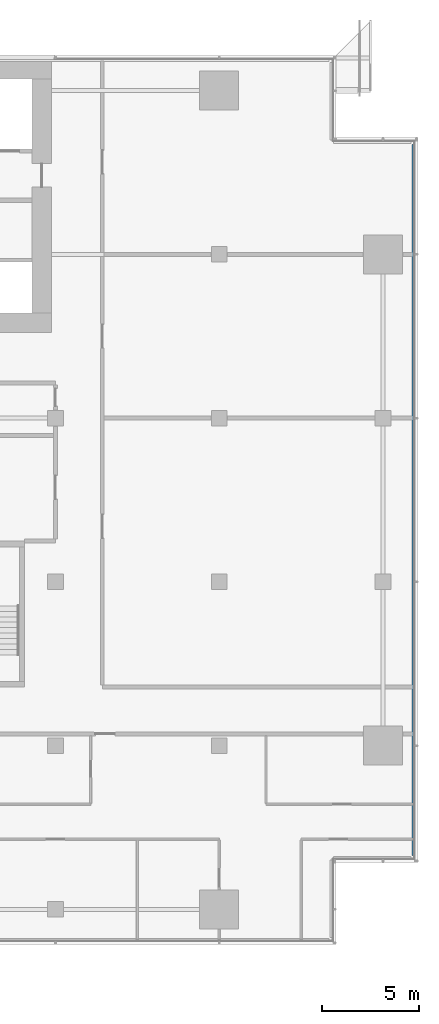
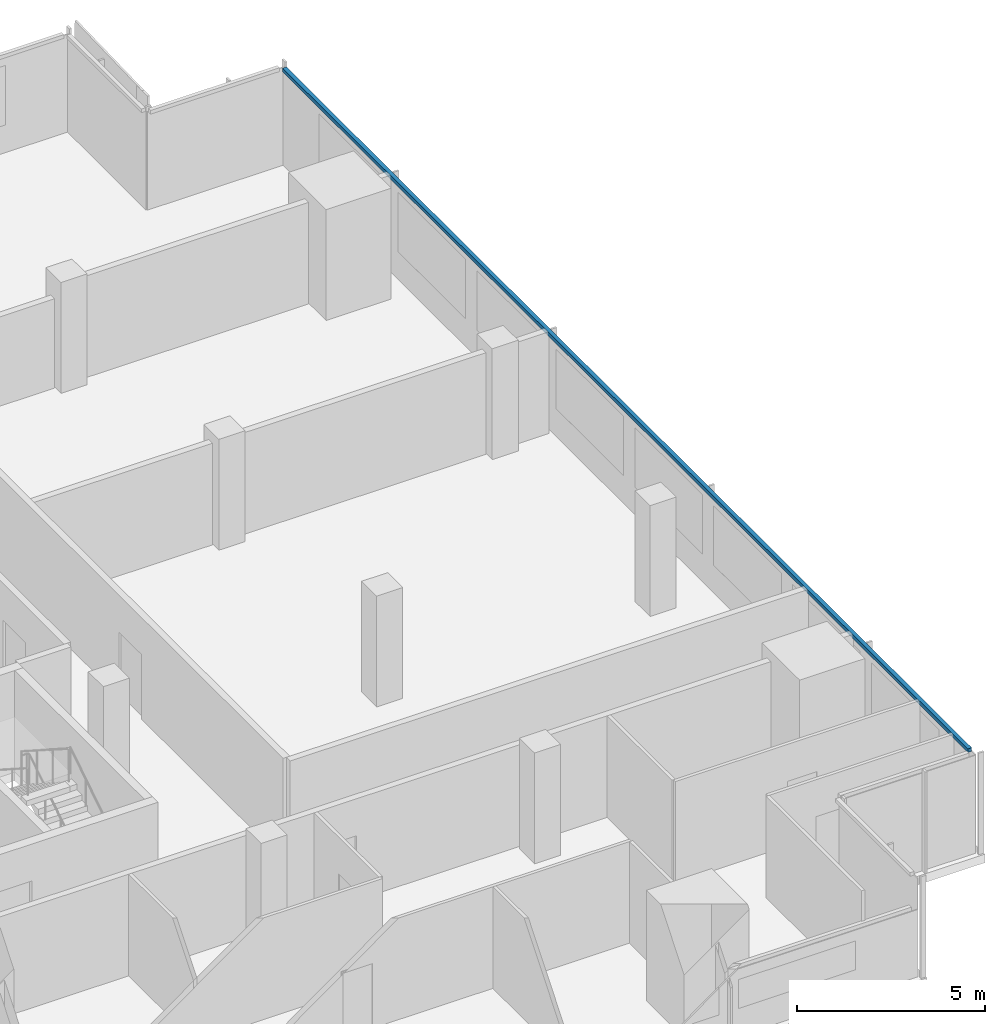
# One storey, part 13 of 26: 1 member, 1 element without a shape of its own.
"""IFC4 building model written with IfcOpenShell, lengths in metres."""

import ifcopenshell
import ifcopenshell.guid

model = None  # the IFC model being written
_history = None  # IfcOwnerHistory: only IFC2X3 demands one
_inside = {}  # id of a spatial element -> (the spatial element, [elements in it])
_under = {}  # id of a project, library or spatial element -> (it, [spatial elements below it])
_declared = {}  # id of a project -> (the project, [libraries it declares])
_typed = {}  # id of a type object -> (the type object, [elements of that type])
_made_of = {}  # id of a material, layer set ... -> (it, [elements and type objects made of it])


def new_model(schema):
    """Start an empty IFC model of exactly this schema.

    Asked for "IFC4X3", IfcOpenShell would pick the latest addendum, in which some entities
    have other attributes; the version numbers below select the first issue.
    IFC2X3 requires an IfcOwnerHistory on every rooted entity: one is made here for all.
    """
    global model, _history
    if schema == "IFC4X3":
        model = ifcopenshell.file(schema_version=(4, 3, 0, 0))
    else:
        model = ifcopenshell.file(schema=schema)
    _inside.clear()
    _under.clear()
    _declared.clear()
    _typed.clear()
    _made_of.clear()
    _history = None
    if model.schema == "IFC2X3":
        org = make("IfcOrganization", Name="unknown")
        user = make(
            "IfcPersonAndOrganization",
            ThePerson=make("IfcPerson", FamilyName="unknown"),
            TheOrganization=org,
        )
        app = make(
            "IfcApplication",
            ApplicationDeveloper=org,
            Version="unknown",
            ApplicationFullName="unknown",
            ApplicationIdentifier="unknown",
        )
        _history = make(
            "IfcOwnerHistory",
            OwningUser=user,
            OwningApplication=app,
            ChangeAction="ADDED",
            CreationDate=0,
        )
    return model


def make(cls, **values):
    """One entity of the class cls with the attributes given. An attribute that is None is left unset."""
    return model.create_entity(
        cls, **{name: value for name, value in values.items() if value is not None}
    )


def rooted(cls, **values):
    """An entity with a GlobalId (a new one), such as an element, a storey or a relation."""
    return make(cls, GlobalId=ifcopenshell.guid.new(), OwnerHistory=_history, **values)


def si_unit(unit_type, name, prefix=None):
    """IfcSIUnit, for example si_unit("LENGTHUNIT", "METRE", prefix="MILLI")."""
    return make("IfcSIUnit", UnitType=unit_type, Prefix=prefix, Name=name)


def assignment(units):
    """IfcUnitAssignment: the units of a project."""
    return None if units is None else make("IfcUnitAssignment", Units=units)


def point(xyz):
    """IfcCartesianPoint."""
    return None if xyz is None else make("IfcCartesianPoint", Coordinates=xyz)


def direction(xyz):
    """IfcDirection."""
    return None if xyz is None else make("IfcDirection", DirectionRatios=xyz)


def frame(location, z_axis=None, x_axis=None):
    """IfcAxis2Placement3D, a coordinate frame: its origin and axes. An axis left out is left unset."""
    return make(
        "IfcAxis2Placement3D",
        Location=point(location),
        Axis=direction(z_axis),
        RefDirection=direction(x_axis),
    )


def frame_2d(location, x_axis=None):
    """IfcAxis2Placement2D, a coordinate frame in the plane: its origin and x axis."""
    return make(
        "IfcAxis2Placement2D", Location=point(location), RefDirection=direction(x_axis)
    )


def origin():
    """The frame at (0, 0, 0) with its axes left unset."""
    return frame((0.0, 0.0, 0.0))


def origin_2d():
    """The frame at (0, 0) in the plane with its x axis left unset."""
    return frame_2d((0.0, 0.0))


def place(relative_to, where):
    """IfcLocalPlacement: puts the frame where relative to a parent placement (None: the world)."""
    return make(
        "IfcLocalPlacement", PlacementRelTo=relative_to, RelativePlacement=where
    )


def context(
    kind, dimensions, precision=None, world=None, true_north=None, identifier=None
):
    """IfcGeometricRepresentationContext, for example the 3D "Model" context."""
    return make(
        "IfcGeometricRepresentationContext",
        ContextIdentifier=identifier,
        ContextType=kind,
        CoordinateSpaceDimension=dimensions,
        Precision=precision,
        WorldCoordinateSystem=world,
        TrueNorth=true_north,
    )


def subcontext(parent, identifier, kind, view, scale=None):
    """IfcGeometricRepresentationSubContext, for example "Body" below "Model"."""
    return make(
        "IfcGeometricRepresentationSubContext",
        ContextIdentifier=identifier,
        ContextType=kind,
        ParentContext=parent,
        TargetScale=scale,
        TargetView=view,
    )


def project(units=None, contexts=None):
    """IfcProject with its units and contexts."""
    return rooted(
        "IfcProject",
        Name="project",
        RepresentationContexts=contexts,
        UnitsInContext=assignment(units),
    )


def spatial(cls, under=None, at=None, **own):
    """A site, building, storey or space (cls), placed at a placement, below another one or the project."""
    s = rooted(cls, ObjectPlacement=at, **own)
    if under is not None:
        _under.setdefault(under.id(), (under, []))[1].append(s)
    return s


def profile(cls, at=None, kind="AREA", **sizes):
    """A parametric profile (cls). Its sizes go by their IFC names, for example OverallWidth=200.0."""
    return make(cls, ProfileType=kind, Position=at, **sizes)


def rectangle(**sizes):
    """IfcRectangleProfileDef."""
    return profile("IfcRectangleProfileDef", **sizes)


def extrude(swept, where, along, depth):
    """IfcExtrudedAreaSolid: the profile swept, set in the frame where, extruded along a direction by depth."""
    return make(
        "IfcExtrudedAreaSolid",
        SweptArea=swept,
        Position=where,
        ExtrudedDirection=direction(along),
        Depth=depth,
    )


def shape(context_of_items, identifier, shape_type, items):
    """IfcShapeRepresentation: the items that make up one representation, for example the "Body"."""
    return make(
        "IfcShapeRepresentation",
        ContextOfItems=context_of_items,
        RepresentationIdentifier=identifier,
        RepresentationType=shape_type,
        Items=items,
    )


def material(Name=None, Category=None):
    """IfcMaterial."""
    return make("IfcMaterial", Name=Name, Category=Category)


def material_profile(
    of_material, cross_section, Name=None, Category=None, Priority=None
):
    """IfcMaterialProfile: a cross section and its material."""
    return make(
        "IfcMaterialProfile",
        Name=Name,
        Material=of_material,
        Profile=cross_section,
        Priority=Priority,
        Category=Category,
    )


def profile_set(profiles, Name=None, composite=None):
    """IfcMaterialProfileSet."""
    return make(
        "IfcMaterialProfileSet",
        Name=Name,
        MaterialProfiles=profiles,
        CompositeProfile=composite,
    )


def made_of(thing, what):
    """Note that an element or type object is made of a material, layer set ...; save() writes the relation."""
    if what is not None:
        _made_of.setdefault(what.id(), (what, []))[1].append(thing)
    return thing


def type_object(cls, material=None, **own):
    """A type object (cls), such as IfcWallType, which elements share."""
    return made_of(rooted(cls, **own), material)


def element(
    cls,
    number,
    at=None,
    inside=None,
    cuts=None,
    type_object=None,
    material=None,
    context=None,
    identifier="Body",
    shape_type=None,
    held_by="IfcProductDefinitionShape",
    body=None,
    shapes=None,
    **own,
):
    """One element of the class cls, such as IfcWall. Its Tag is "e" and its number.

    at: its placement. inside: the storey or other place that contains it. cuts: it is an
    opening in that element (IfcRelVoidsElement). A single representation is given by context,
    identifier, shape_type and body (its items); several are given by shapes. held_by: the class
    of the entity that holds the representations. save() writes the other relations.
    """
    e = rooted(cls, Tag="e%d" % number, ObjectPlacement=at, **own)
    if body is not None:
        shapes = [shape(context, identifier, shape_type, body)]
    if shapes is not None:
        e.Representation = make(held_by, Representations=shapes)
    if inside is not None:
        _inside.setdefault(inside.id(), (inside, []))[1].append(e)
    if cuts is not None:
        rooted(
            "IfcRelVoidsElement", RelatingBuildingElement=cuts, RelatedOpeningElement=e
        )
    if type_object is not None:
        _typed.setdefault(type_object.id(), (type_object, []))[1].append(e)
    return made_of(e, material)


def aggregate(whole, parts):
    """IfcRelAggregates: a whole, such as a stair, and the parts it consists of."""
    return rooted("IfcRelAggregates", RelatingObject=whole, RelatedObjects=parts)


def save(model, path):
    """Write the relations noted so far, then the file.

    IfcRelAggregates (storeys below a building ...), IfcRelContainedInSpatialStructure (elements
    in a storey), IfcRelDefinesByType, IfcRelAssociatesMaterial and IfcRelDeclares: one each for
    every whole, place, type object, material and project.
    """
    for whole, parts in _under.values():
        aggregate(whole, parts)
    for where, things in _inside.values():
        rooted(
            "IfcRelContainedInSpatialStructure",
            RelatedElements=things,
            RelatingStructure=where,
        )
    for kind, things in _typed.values():
        rooted("IfcRelDefinesByType", RelatedObjects=things, RelatingType=kind)
    for what, things in _made_of.values():
        rooted("IfcRelAssociatesMaterial", RelatedObjects=things, RelatingMaterial=what)
    for by, libraries in _declared.values():
        rooted("IfcRelDeclares", RelatingContext=by, RelatedDefinitions=libraries)
    model.write(path)


model = new_model("IFC4")

# Units and contexts
model_context = context("Model", 3, precision=1e-05, world=origin(), true_north=direction((0.0, 1.0)))
body_context = subcontext(model_context, "Body", "Model", "MODEL_VIEW")
ifc_project = project(units=[si_unit("LENGTHUNIT", "METRE"), si_unit("AREAUNIT", "SQUARE_METRE"), si_unit("VOLUMEUNIT", "CUBIC_METRE"), si_unit("PLANEANGLEUNIT", "RADIAN"), si_unit("MASSUNIT", "GRAM", prefix="KILO")], contexts=[model_context])

# Site, building, storey
site_placement = place(None, origin())
site = spatial("IfcSite", under=ifc_project, at=site_placement, CompositionType="ELEMENT")
building_placement = place(site_placement, origin())
building = spatial("IfcBuilding", under=site, at=building_placement, Name="Saffron Gate Tower", CompositionType="ELEMENT")
storey_placement = place(building_placement, frame((0.0, 0.0, 138.449951171875)))
storey = spatial("IfcBuildingStorey", under=building, at=storey_placement, Name="L33", CompositionType="ELEMENT", Elevation=138.449951171875)

# Curtain wall, member
ifc_material = material(Name="Aluminium, bronze anodised", Category="aluminium")
curtain_wall_type = type_object("IfcCurtainWallType", Name="CWS2 curtain wall side facades", PredefinedType="NOTDEFINED", material=ifc_material)
curtain_wall_placement = place(storey_placement, origin())
curtain_wall = element("IfcCurtainWall", 1, at=curtain_wall_placement, inside=storey, type_object=curtain_wall_type, Name="CWS2 run 4", PredefinedType="NOTDEFINED")
ifc_material_profile = material_profile(ifc_material, rectangle(XDim=0.1201171875, YDim=0.1201171875, at=origin_2d()))
ifc_profile_set = profile_set([ifc_material_profile], Name="Aluminium, bronze anodised")
member_type = type_object("IfcMemberType", Name="CWS2 head transom", PredefinedType="USERDEFINED", material=ifc_profile_set)
member_placement = place(storey_placement, frame((126.951904296875, 34.568115234375, 3.239990234375), z_axis=(0.0, 1.0, 0.0), x_axis=(-1.0, 0.0, 0.0)))
member = element("IfcMember", 2, at=member_placement, type_object=member_type, Name="CWS2 head transom", ObjectType="TRANSOM", PredefinedType="USERDEFINED", context=body_context, shape_type="SweptSolid", body=[
    extrude(rectangle(XDim=0.1201171875, YDim=0.1201171875, at=origin_2d()), origin(), (0.0, 0.0, 1.0), 36.4638671875),
])
aggregate(curtain_wall, [member])

save(model, "model.ifc")
